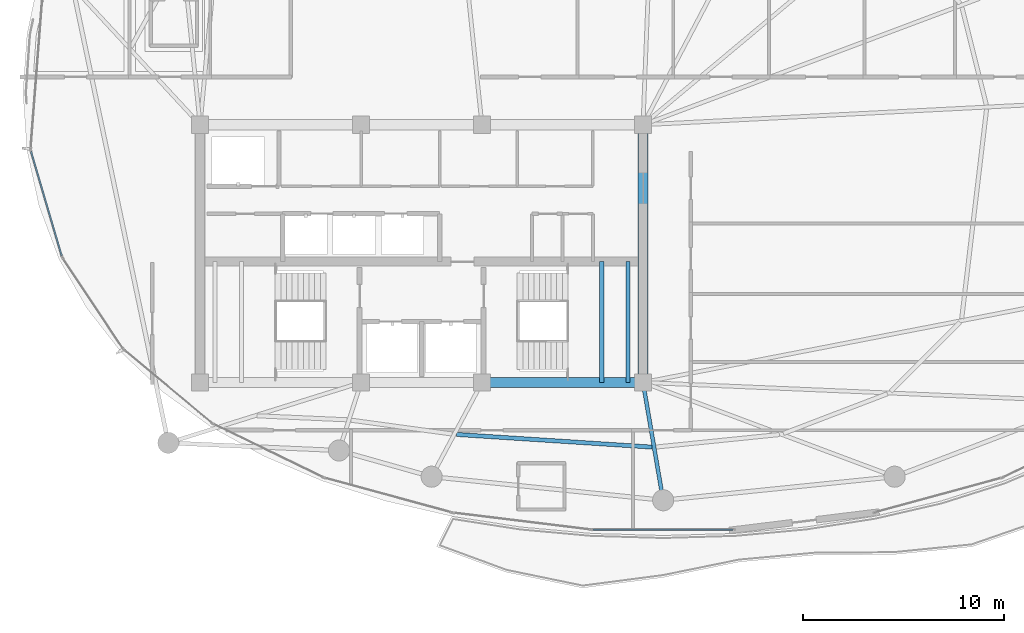
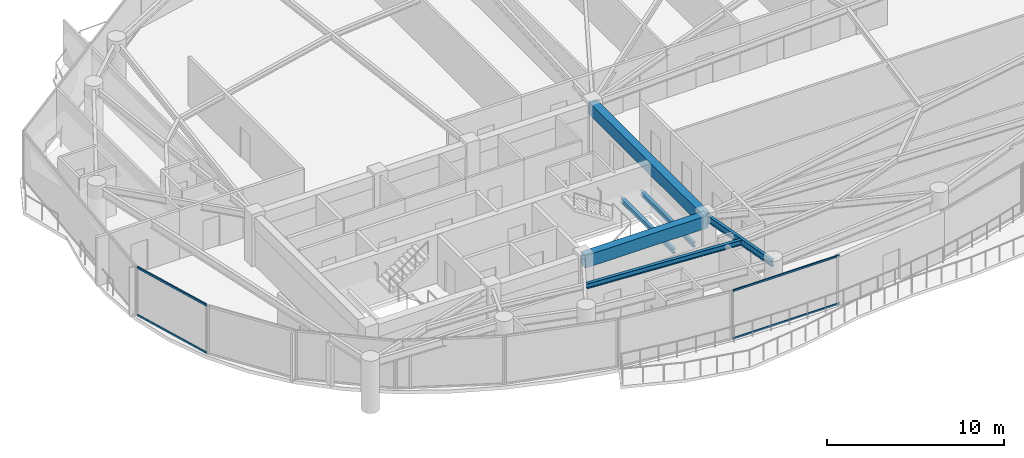
# One storey, part 7 of 31: 6 beams, 4 members, 2 elements without a shape of their own.
"""IFC4 building model written with IfcOpenShell, lengths in metres."""

from ifc_helpers import new_model, si_unit, direction, frame, origin, origin_2d, place, context, subcontext, project, spatial, rectangle, hollow_rectangle, i_section, extrude, material, layer, layer_set, material_profile, profile_set, type_object, element, aggregate, save


model = new_model("IFC4")

# Units and contexts
model_context = context("Model", 3, precision=1e-05, world=origin(), true_north=direction((0.0, 1.0)))
body_context = subcontext(model_context, "Body", "Model", "MODEL_VIEW")
ifc_project = project(units=[si_unit("LENGTHUNIT", "METRE"), si_unit("AREAUNIT", "SQUARE_METRE"), si_unit("VOLUMEUNIT", "CUBIC_METRE"), si_unit("PLANEANGLEUNIT", "RADIAN"), si_unit("MASSUNIT", "GRAM", prefix="KILO")], contexts=[model_context])

# Site, building, storey
site_placement = place(None, origin())
site = spatial("IfcSite", under=ifc_project, at=site_placement, CompositionType="ELEMENT")
building_placement = place(site_placement, origin())
building = spatial("IfcBuilding", under=site, at=building_placement, Name="Kazevale Care Tower and Concert Hall", CompositionType="ELEMENT")
storey_placement = place(building_placement, frame((0.0, 0.0, 210.0)))
storey = spatial("IfcBuildingStorey", under=building, at=storey_placement, Name="L55", CompositionType="ELEMENT", Elevation=210.0)

# Curtain wall, members
ifc_material_1 = material(Name="Aluminium 6063-T6 and Low-E Glass", Category="aluminium")
ifc_layer_1 = layer(ifc_material_1, 0.179931640625)
ifc_layer_set_1 = layer_set([ifc_layer_1], Name="Aluminium 6063-T6 and Low-E Glass")
curtain_wall_type_1 = type_object("IfcCurtainWallType", Name="Waist & Upper Residential Curtain Wall CW-4", PredefinedType="NOTDEFINED", material=ifc_layer_set_1)
curtain_wall_1_placement = place(storey_placement, origin())
curtain_wall_1 = element("IfcCurtainWall", 1, at=curtain_wall_1_placement, inside=storey, type_object=curtain_wall_type_1, Name="cw:L55:f12", PredefinedType="NOTDEFINED")
ifc_material_2 = material(Name="Aluminium 6063-T6", Category="aluminium")
ifc_material_profile_1 = material_profile(ifc_material_2, hollow_rectangle(XDim=0.080078125, YDim=0.139892578125, WallThickness=0.00390625, at=origin_2d()), Name="ALU80x140x4")
ifc_profile_set_1 = profile_set([ifc_material_profile_1], Name="Aluminium 6063-T6")
member_type_1 = type_object("IfcMemberType", Name="CW-4 Transom ALU80x140x4", PredefinedType="USERDEFINED", material=ifc_profile_set_1)
member_1_placement = place(storey_placement, frame((15.12548828125, 29.897705078125, 0.0400390625), z_axis=(-0.282102705943, 0.95938421047, 0.0), x_axis=(-0.95938421047, -0.282102705943, 0.0)))
member_1 = element("IfcMember", 2, at=member_1_placement, type_object=member_type_1, Name="CW-4 transom 1.1", ObjectType="TRANSOM", PredefinedType="USERDEFINED", context=body_context, shape_type="SweptSolid", body=[
    extrude(hollow_rectangle(XDim=0.080078125, YDim=0.139892578125, WallThickness=0.00390625, at=origin_2d()), origin(), (0.0, 0.0, 1.0), 5.402099609375),
])
member_2_placement = place(storey_placement, frame((15.12548828125, 29.897705078125, 3.320068359375), z_axis=(-0.282102705943, 0.95938421047, 0.0), x_axis=(-0.95938421047, -0.282102705943, 0.0)))
member_2 = element("IfcMember", 3, at=member_2_placement, type_object=member_type_1, Name="CW-4 transom 1.2", ObjectType="TRANSOM", PredefinedType="USERDEFINED", context=body_context, shape_type="SweptSolid", body=[
    extrude(hollow_rectangle(XDim=0.080078125, YDim=0.139892578125, WallThickness=0.00390625, at=origin_2d()), origin(), (0.0, 0.0, 1.0), 5.402099609375),
])
aggregate(curtain_wall_1, [member_1, member_2])

ifc_layer_2 = layer(ifc_material_1, 0.179931640625)
ifc_layer_set_2 = layer_set([ifc_layer_2], Name="Aluminium 6063-T6 and Low-E Glass")
curtain_wall_type_2 = type_object("IfcCurtainWallType", Name="Sheltered Concave Balcony Curtain Wall CW-5", PredefinedType="NOTDEFINED", material=ifc_layer_set_2)
curtain_wall_2_placement = place(storey_placement, origin())
curtain_wall_2 = element("IfcCurtainWall", 4, at=curtain_wall_2_placement, inside=storey, type_object=curtain_wall_type_2, Name="cw:L55:f06", PredefinedType="NOTDEFINED")
ifc_material_profile_2 = material_profile(ifc_material_2, hollow_rectangle(XDim=0.074951171875, YDim=0.1201171875, WallThickness=0.00390625, at=origin_2d()), Name="ALU75x120x4")
ifc_profile_set_2 = profile_set([ifc_material_profile_2], Name="Aluminium 6063-T6")
member_type_2 = type_object("IfcMemberType", Name="CW-5 Transom ALU75x120x4", PredefinedType="USERDEFINED", material=ifc_profile_set_2)
member_3_placement = place(storey_placement, frame((48.47509765625, 16.284912109375, 0.03759765625), z_axis=(-1.0, 0.0, 0.0), x_axis=(0.0, -1.0, 0.0)))
member_3 = element("IfcMember", 5, at=member_3_placement, type_object=member_type_2, Name="CW-5 transom 1.1", ObjectType="TRANSOM", PredefinedType="USERDEFINED", context=body_context, shape_type="SweptSolid", body=[
    extrude(hollow_rectangle(XDim=0.074951171875, YDim=0.1201171875, WallThickness=0.00390625, at=origin_2d()), origin(), (0.0, 0.0, 1.0), 6.9501953125),
])
member_4_placement = place(storey_placement, frame((48.47509765625, 16.284912109375, 3.322509765625), z_axis=(-1.0, 0.0, 0.0), x_axis=(0.0, -1.0, 0.0)))
member_4 = element("IfcMember", 6, at=member_4_placement, type_object=member_type_2, Name="CW-5 transom 1.2", ObjectType="TRANSOM", PredefinedType="USERDEFINED", context=body_context, shape_type="SweptSolid", body=[
    extrude(hollow_rectangle(XDim=0.074951171875, YDim=0.1201171875, WallThickness=0.00390625, at=origin_2d()), origin(), (0.0, 0.0, 1.0), 6.9501953125),
])
aggregate(curtain_wall_2, [member_3, member_4])

# Beams
ifc_material_3 = material(Name="Concrete C60", Category="concrete")
ifc_material_profile_3 = material_profile(ifc_material_3, rectangle(XDim=0.5, YDim=0.85009765625, at=origin_2d()), Name="RC-B500x850")
ifc_profile_set_3 = profile_set([ifc_material_profile_3], Name="Concrete C60")
beam_type_1 = type_object("IfcBeamType", Name="Core Coupling Beam RC500x850", PredefinedType="LINTEL", material=ifc_profile_set_3)
beam_1_placement = place(storey_placement, frame((36.0, 23.60009765625, 2.93505859375), z_axis=(1.0, 0.0, 0.0), x_axis=(0.0, 1.0, 0.0)))
element("IfcBeam", 7, at=beam_1_placement, inside=storey, type_object=beam_type_1, Name="beam:L55:coretie:3", PredefinedType="LINTEL", context=body_context, shape_type="SweptSolid", body=[
    extrude(rectangle(XDim=0.5, YDim=0.85009765625, at=origin_2d()), origin(), (0.0, 0.0, 1.0), 8.0),
])
beam_2_placement = place(storey_placement, frame((44.0, 23.60009765625, 2.93505859375), z_axis=(0.0, 1.0, 0.0), x_axis=(-1.0, 0.0, 0.0)))
element("IfcBeam", 8, at=beam_2_placement, inside=storey, type_object=beam_type_1, Name="beam:L55:coretie:4", PredefinedType="LINTEL", context=body_context, shape_type="SweptSolid", body=[
    extrude(rectangle(XDim=0.5, YDim=0.85009765625, at=origin_2d()), origin(), (0.0, 0.0, 1.0), 12.7998046875),
])
ifc_material_4 = material(Name="Steel ASTM A572 Gr 50", Category="steel")
ifc_material_profile_4 = material_profile(ifc_material_4, i_section(OverallWidth=0.19091796875, OverallDepth=0.4599609375, WebThickness=0.010009765625, FlangeThickness=0.01611328125, at=origin_2d()), Name="W460x82")
ifc_profile_set_4 = profile_set([ifc_material_profile_4], Name="Steel ASTM A572 Gr 50")
beam_type_2 = type_object("IfcBeamType", Name="Radial Floor Beam W460x82", PredefinedType="BEAM", material=ifc_profile_set_4)
beam_3_placement = place(storey_placement, frame((44.0, 23.60009765625, 3.1298828125), z_axis=(0.168493389607, -0.985702783631, 0.0), x_axis=(0.985702783631, 0.168493389607, 0.0)))
element("IfcBeam", 9, at=beam_3_placement, inside=storey, type_object=beam_type_2, Name="beam:L55:rad:13", PredefinedType="BEAM", context=body_context, shape_type="SweptSolid", body=[
    extrude(i_section(OverallWidth=0.19091796875, OverallDepth=0.4599609375, WebThickness=0.010009765625, FlangeThickness=0.01611328125, at=origin_2d()), origin(), (0.0, 0.0, 1.0), 5.93505859375),
])
ifc_material_profile_5 = material_profile(ifc_material_4, i_section(OverallWidth=0.205078125, OverallDepth=0.35400390625, WebThickness=0.009521484375, FlangeThickness=0.016845703125, at=origin_2d()), Name="W360x79")
ifc_profile_set_5 = profile_set([ifc_material_profile_5], Name="Steel ASTM A572 Gr 50")
beam_type_3 = type_object("IfcBeamType", Name="Secondary Floor Joist W360x79", PredefinedType="JOIST", material=ifc_profile_set_5)
beam_4_placement = place(storey_placement, frame((34.72998046875, 21.01904296875, 3.18310546875), z_axis=(0.997903161374, -0.064724651559, 0.0), x_axis=(0.064724651559, 0.997903161374, 0.0)))
element("IfcBeam", 10, at=beam_4_placement, inside=storey, type_object=beam_type_3, Name="beam:L55:joist:12", PredefinedType="JOIST", context=body_context, shape_type="SweptSolid", body=[
    extrude(i_section(OverallWidth=0.205078125, OverallDepth=0.35400390625, WebThickness=0.009521484375, FlangeThickness=0.016845703125, at=origin_2d()), origin(), (0.0, 0.0, 1.0), 9.735595703125),
])
ifc_material_profile_6 = material_profile(ifc_material_4, i_section(OverallWidth=0.202880859375, OverallDepth=0.302978515625, WebThickness=0.007568359375, FlangeThickness=0.01318359375, at=origin_2d()), Name="W310x60")
ifc_profile_set_6 = profile_set([ifc_material_profile_6], Name="Steel ASTM A572 Gr 50")
beam_type_4 = type_object("IfcBeamType", Name="Stair & Balcony Trimmer W310x60", PredefinedType="BEAM", material=ifc_profile_set_6)
for number, where, z_axis, x_axis, name in (
    (11, (41.949951171875, 23.60009765625, 1.448486328125), (0.0, 1.0, 0.0), (-1.0, 0.0, 0.0), "beam:L55:sttrim:ST2"),
    (12, (43.25, 23.60009765625, 1.448486328125), (0.0, 1.0, 0.0), (-1.0, 0.0, 0.0), "beam:L55:sttrim:ST2b"),
):
    element("IfcBeam", number, at=place(storey_placement, frame(where, z_axis=z_axis, x_axis=x_axis)), inside=storey, type_object=beam_type_4, Name=name, PredefinedType="BEAM", context=body_context, shape_type="SweptSolid", body=[
        extrude(i_section(OverallWidth=0.202880859375, OverallDepth=0.302978515625, WebThickness=0.007568359375, FlangeThickness=0.01318359375, at=origin_2d()), origin(), (0.0, 0.0, 1.0), 6.0),
    ])

save(model, "model.ifc")
